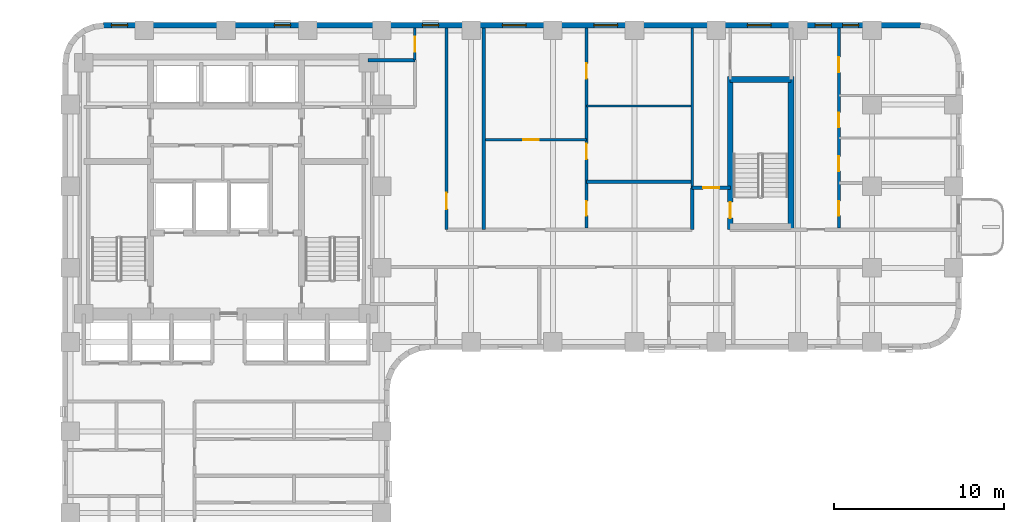
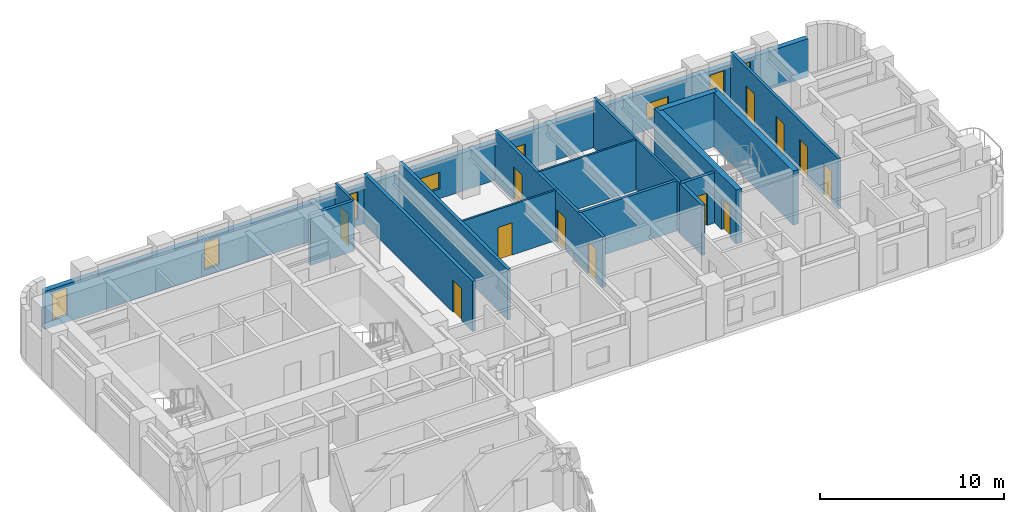
# One storey, part 7 of 12: 16 walls, 12 doors, 8 windows, 20 openings.
"""IFC4 building model written with IfcOpenShell, lengths in metres."""

from ifc_helpers import new_model, si_unit, direction, frame, frame_2d, origin, place, context, subcontext, project, spatial, rectangle, extrude, material, layer, layer_set, type_object, element, fill, save


model = new_model("IFC4")

# Units and contexts
model_context = context("Model", 3, precision=1e-05, world=origin(), true_north=direction((0.0, 1.0)))
body_context = subcontext(model_context, "Body", "Model", "MODEL_VIEW")
ifc_project = project(units=[si_unit("LENGTHUNIT", "METRE"), si_unit("AREAUNIT", "SQUARE_METRE"), si_unit("VOLUMEUNIT", "CUBIC_METRE"), si_unit("PLANEANGLEUNIT", "RADIAN"), si_unit("MASSUNIT", "GRAM", prefix="KILO")], contexts=[model_context])

# Site, building, storey
site_placement = place(None, origin())
site = spatial("IfcSite", under=ifc_project, at=site_placement, CompositionType="ELEMENT")
building_placement = place(site_placement, origin())
building = spatial("IfcBuilding", under=site, at=building_placement, Name="Orvandelia Arch Residences", CompositionType="ELEMENT")
storey_placement = place(building_placement, frame((0.0, 0.0, 39.39990234375)))
storey = spatial("IfcBuildingStorey", under=building, at=storey_placement, Name="L09", CompositionType="ELEMENT", Elevation=39.39990234375)

# Wall, opening, door
ifc_material_1 = material(Name="Concrete C50/60", Category="concrete")
ifc_layer_1 = layer(ifc_material_1, 0.35009765625, Name="Concrete C50/60", Category="concrete")
ifc_layer_set_1 = layer_set([ifc_layer_1], Name="Concrete C50/60")
wall_type_1 = type_object("IfcWallType", Name="WL-CORE-350", PredefinedType="SHEAR", material=ifc_layer_set_1)
wall_1_placement = place(storey_placement, frame((44.02001953125, 35.864990234375, 0.0), z_axis=(0.0, 0.0, 1.0), x_axis=(0.0, 1.0, 0.0)))
wall_1 = element("IfcWall", 1, at=wall_1_placement, inside=storey, type_object=wall_type_1, Name="East Stair Core Shear Wall L09-W", PredefinedType="SHEAR", context=body_context, shape_type="SweptSolid", body=[
    extrude(rectangle(XDim=8.969970703125, YDim=0.35009765625, at=frame_2d((4.48486328125, 0.0))), origin(), (0.0, 0.0, 1.0), 3.60009765625),
])
opening_1_placement = place(wall_1_placement, frame((0.64990234375, 0.0, 0.0)))
opening_1 = element("IfcOpeningElement", 2, at=opening_1_placement, cuts=wall_1, Name="Opening D7", PredefinedType="OPENING", context=body_context, shape_type="SweptSolid", body=[
    extrude(rectangle(XDim=0.949951171875, YDim=2.10009765625, at=frame_2d((0.47509765625, 1.050048828125))), frame((0.0, 0.18505859375, 0.0), z_axis=(0.0, -1.0, 0.0), x_axis=(1.0, 0.0, 0.0)), (0.0, 0.0, 1.0), 0.3701171875),
])
ifc_material_2 = material(Name="Pressurised Stairwell Fire Door")
door_type_1 = type_object("IfcDoorType", Name="DR-STAIR-950", OperationType="NOTDEFINED", PredefinedType="DOOR", material=ifc_material_2)
door_1_placement = place(opening_1_placement, origin())
door_1 = element("IfcDoor", 3, at=door_1_placement, inside=storey, type_object=door_type_1, Name="East Stairwell ST-3 Fire Door L09", OperationType="SINGLE_SWING_LEFT", OverallHeight=2.10009765625, OverallWidth=0.949951171875, PredefinedType="DOOR", context=body_context, shape_type="SweptSolid", body=[
    extrude(rectangle(XDim=0.949951171875, YDim=2.10009765625, at=frame_2d((0.47509765625, 1.050048828125))), frame((0.0, 0.02490234375, 0.0), z_axis=(0.0, -1.0, 0.0), x_axis=(1.0, 0.0, 0.0)), (0.0, 0.0, 1.0), 0.050048828125),
])
fill(opening_1, door_1)

# Walls
wall_2_placement = place(storey_placement, frame((47.60009765625, 35.864990234375, 0.0), z_axis=(0.0, 0.0, 1.0), x_axis=(0.0, 1.0, 0.0)))
element("IfcWall", 4, at=wall_2_placement, inside=storey, type_object=wall_type_1, Name="East Stair Core Shear Wall L09-E", PredefinedType="SHEAR", context=body_context, shape_type="SweptSolid", body=[
    extrude(rectangle(XDim=8.969970703125, YDim=0.35009765625, at=frame_2d((4.48486328125, 0.0))), origin(), (0.0, 0.0, 1.0), 3.60009765625),
])
wall_3_placement = place(storey_placement, frame((44.02001953125, 44.659912109375, 0.0), z_axis=(0.0, 0.0, 1.0), x_axis=(1.0, 0.0, 0.0)))
element("IfcWall", 5, at=wall_3_placement, inside=storey, type_object=wall_type_1, Name="East Stair Core Shear Wall L09-N", PredefinedType="SHEAR", context=body_context, shape_type="SweptSolid", body=[
    extrude(rectangle(XDim=3.580078125, YDim=0.35009765625, at=frame_2d((1.7900390625, 0.0))), origin(), (0.0, 0.0, 1.0), 3.60009765625),
])
ifc_material_3 = material(Name="Fire-Rated Corridor Partition")
ifc_layer_2 = layer(ifc_material_3, 0.199951171875, Name="Fire-Rated Corridor Partition")
ifc_layer_set_2 = layer_set([ifc_layer_2], Name="Fire-Rated Corridor Partition")
wall_type_2 = type_object("IfcWallType", Name="WL-CORR-200", PredefinedType="PARTITIONING", material=ifc_layer_set_2)
wall_4_placement = place(storey_placement, frame((22.75, 45.800048828125, 0.0), z_axis=(0.0, 0.0, 1.0), x_axis=(1.0, 0.0, 0.0)))
element("IfcWall", 6, at=wall_4_placement, inside=storey, type_object=wall_type_2, Name="Interior Partition Wall WL-L09-NCE-S", PredefinedType="PARTITIONING", context=body_context, shape_type="SweptSolid", body=[
    extrude(rectangle(XDim=2.75, YDim=0.199951171875, at=frame_2d((1.375, 0.0))), origin(), (0.0, 0.0, 1.0), 3.35009765625),
])

# Wall, opening, door
wall_5_placement = place(storey_placement, frame((27.35009765625, 35.85009765625, 0.0), z_axis=(0.0, 0.0, 1.0), x_axis=(0.0, 1.0, 0.0)))
wall_5 = element("IfcWall", 7, at=wall_5_placement, inside=storey, type_object=wall_type_2, Name="Interior Partition Wall WL-L09-ES-NCE", PredefinedType="PARTITIONING", context=body_context, shape_type="SweptSolid", body=[
    extrude(rectangle(XDim=11.829833984375, YDim=0.199951171875, at=frame_2d((5.9150390625, 0.0))), origin(), (0.0, 0.0, 1.0), 3.35009765625),
])
opening_2_placement = place(wall_5_placement, frame((1.199951171875, 0.0, 0.0)))
opening_2 = element("IfcOpeningElement", 8, at=opening_2_placement, cuts=wall_5, Name="Opening D2", PredefinedType="OPENING", context=body_context, shape_type="SweptSolid", body=[
    extrude(rectangle(XDim=0.949951171875, YDim=2.14990234375, at=frame_2d((0.47509765625, 1.074951171875))), frame((0.0, 0.10986328125, 0.0), z_axis=(0.0, -1.0, 0.0), x_axis=(1.0, 0.0, 0.0)), (0.0, 0.0, 1.0), 0.219970703125),
])
ifc_material_4 = material(Name="Solid-Core Timber Interior Fire Door", Category="wood")
door_type_2 = type_object("IfcDoorType", Name="DR-APT-950", OperationType="NOTDEFINED", PredefinedType="DOOR", material=ifc_material_4)
door_2_placement = place(opening_2_placement, origin())
door_2 = element("IfcDoor", 9, at=door_2_placement, inside=storey, type_object=door_type_2, Name="DR-L09-ESLDY", OperationType="SINGLE_SWING_RIGHT", OverallHeight=2.14990234375, OverallWidth=0.949951171875, PredefinedType="DOOR", context=body_context, shape_type="SweptSolid", body=[
    extrude(rectangle(XDim=0.949951171875, YDim=2.14990234375, at=frame_2d((0.47509765625, 1.074951171875))), frame((0.0, 0.02490234375, 0.0), z_axis=(0.0, -1.0, 0.0), x_axis=(1.0, 0.0, 0.0)), (0.0, 0.0, 1.0), 0.050048828125),
])
fill(opening_2, door_2)

# Wall
wall_6_placement = place(storey_placement, frame((41.780029296875, 35.85009765625, 0.0), z_axis=(0.0, 0.0, 1.0), x_axis=(0.0, 1.0, 0.0)))
element("IfcWall", 10, at=wall_6_placement, inside=storey, type_object=wall_type_2, Name="Interior Partition Wall WL-L09-ES-SW", PredefinedType="PARTITIONING", context=body_context, shape_type="SweptSolid", body=[
    extrude(rectangle(XDim=2.449951171875, YDim=0.199951171875, at=frame_2d((1.22509765625, 0.0))), origin(), (0.0, 0.0, 1.0), 3.35009765625),
])

# Wall, opening, door
wall_7_placement = place(storey_placement, frame((41.780029296875, 38.300048828125, 0.0), z_axis=(0.0, 0.0, 1.0), x_axis=(1.0, 0.0, 0.0)))
wall_7 = element("IfcWall", 11, at=wall_7_placement, inside=storey, type_object=wall_type_2, Name="Interior Partition Wall WL-L09-ES-SN", PredefinedType="PARTITIONING", context=body_context, shape_type="SweptSolid", body=[
    extrude(rectangle(XDim=2.239990234375, YDim=0.199951171875, at=frame_2d((1.1201171875, 0.0))), origin(), (0.0, 0.0, 1.0), 3.35009765625),
])
opening_3_placement = place(wall_7_placement, frame((0.64990234375, 0.0, 0.0)))
opening_3 = element("IfcOpeningElement", 12, at=opening_3_placement, cuts=wall_7, Name="Opening D2", PredefinedType="OPENING", context=body_context, shape_type="SweptSolid", body=[
    extrude(rectangle(XDim=0.949951171875, YDim=2.14990234375, at=frame_2d((0.47509765625, 1.074951171875))), frame((0.0, 0.10986328125, 0.0), z_axis=(0.0, -1.0, 0.0), x_axis=(1.0, 0.0, 0.0)), (0.0, 0.0, 1.0), 0.219970703125),
])
door_3_placement = place(opening_3_placement, origin())
door_3 = element("IfcDoor", 13, at=door_3_placement, inside=storey, type_object=door_type_2, Name="DR-L09-ESSPK", OperationType="SINGLE_SWING_LEFT", OverallHeight=2.14990234375, OverallWidth=0.949951171875, PredefinedType="DOOR", context=body_context, shape_type="SweptSolid", body=[
    extrude(rectangle(XDim=0.949951171875, YDim=2.14990234375, at=frame_2d((0.47509765625, 1.074951171875))), frame((0.0, 0.02490234375, 0.0), z_axis=(0.0, -1.0, 0.0), x_axis=(1.0, 0.0, 0.0)), (0.0, 0.0, 1.0), 0.050048828125),
])
fill(opening_3, door_3)

# Wall
ifc_material_5 = material(Name="Concrete C40/50", Category="concrete")
ifc_layer_3 = layer(ifc_material_5, 0.199951171875, Name="Concrete C40/50", Category="concrete")
ifc_layer_set_3 = layer_set([ifc_layer_3], Name="Concrete C40/50")
wall_type_3 = type_object("IfcWallType", Name="WL-DEM-200", PredefinedType="SOLIDWALL", material=ifc_layer_set_3)
wall_8_placement = place(storey_placement, frame((29.550048828125, 35.85009765625, 0.0), z_axis=(0.0, 0.0, 1.0), x_axis=(0.0, 1.0, 0.0)))
element("IfcWall", 14, at=wall_8_placement, inside=storey, type_object=wall_type_3, Name="Interior Partition Wall WL-L09-ES-LDE", PredefinedType="SOLIDWALL", context=body_context, shape_type="SweptSolid", body=[
    extrude(rectangle(XDim=11.829833984375, YDim=0.199951171875, at=frame_2d((5.9150390625, 0.0))), origin(), (0.0, 0.0, 1.0), 3.35009765625),
])

# Wall, openings, windows
ifc_material_6 = material(Name="Precast concrete C40/50", Category="concrete")
ifc_layer_4 = layer(ifc_material_6, 0.320068359375, Name="Precast concrete C40/50", Category="concrete")
ifc_layer_set_4 = layer_set([ifc_layer_4], Name="Precast concrete C40/50")
wall_type_4 = type_object("IfcWallType", Name="WL-EXT-STONE-320", PredefinedType="STANDARD", material=ifc_layer_set_4)
wall_9_placement = place(storey_placement, frame((7.199951171875, 47.840087890625, 0.0), z_axis=(0.0, 0.0, 1.0), x_axis=(1.0, 0.0, 0.0)))
wall_9 = element("IfcWall", 15, at=wall_9_placement, inside=storey, type_object=wall_type_4, Name="Coral-Limestone Precast Facade Wall L09-007", PredefinedType="STANDARD", context=body_context, shape_type="SweptSolid", body=[
    extrude(rectangle(XDim=48.0, YDim=0.320068359375, at=frame_2d((24.0, 0.0))), origin(), (0.0, 0.0, 1.0), 2.530029296875),
])
opening_4_placement = place(wall_9_placement, frame((28.803466796875, 0.0, 0.64990234375)))
opening_4 = element("IfcOpeningElement", 16, at=opening_4_placement, cuts=wall_9, Name="Opening W10", PredefinedType="OPENING", context=body_context, shape_type="SweptSolid", body=[
    extrude(rectangle(XDim=1.39990234375, YDim=1.10009765625, at=frame_2d((0.699951171875, 0.550048828125))), frame((0.0, 0.169921875, 0.0), z_axis=(0.0, -1.0, 0.0), x_axis=(1.0, 0.0, 0.0)), (0.0, 0.0, 1.0), 0.340087890625),
])
opening_5_placement = place(wall_9_placement, frame((43.41357421875, 0.0, 0.449951171875)))
opening_5 = element("IfcOpeningElement", 17, at=opening_5_placement, cuts=wall_9, Name="Opening W4", PredefinedType="OPENING", context=body_context, shape_type="SweptSolid", body=[
    extrude(rectangle(XDim=0.949951171875, YDim=1.800048828125, at=frame_2d((0.47509765625, 0.89990234375))), frame((0.0, 0.169921875, 0.0), z_axis=(0.0, -1.0, 0.0), x_axis=(1.0, 0.0, 0.0)), (0.0, 0.0, 1.0), 0.340087890625),
])
opening_6_placement = place(wall_9_placement, frame((18.739990234375, 0.0, 0.449951171875)))
opening_6 = element("IfcOpeningElement", 18, at=opening_6_placement, cuts=wall_9, Name="Opening W4", PredefinedType="OPENING", context=body_context, shape_type="SweptSolid", body=[
    extrude(rectangle(XDim=0.949951171875, YDim=1.800048828125, at=frame_2d((0.47509765625, 0.89990234375))), frame((0.0, 0.169921875, 0.0), z_axis=(0.0, -1.0, 0.0), x_axis=(1.0, 0.0, 0.0)), (0.0, 0.0, 1.0), 0.340087890625),
])
opening_7_placement = place(wall_9_placement, frame((37.824951171875, 0.0, 0.64990234375)))
opening_7 = element("IfcOpeningElement", 19, at=opening_7_placement, cuts=wall_9, Name="Opening W10", PredefinedType="OPENING", context=body_context, shape_type="SweptSolid", body=[
    extrude(rectangle(XDim=1.39990234375, YDim=1.10009765625, at=frame_2d((0.699951171875, 0.550048828125))), frame((0.0, 0.169921875, 0.0), z_axis=(0.0, -1.0, 0.0), x_axis=(1.0, 0.0, 0.0)), (0.0, 0.0, 1.0), 0.340087890625),
])
opening_8_placement = place(wall_9_placement, frame((0.469970703125, 0.0, 0.449951171875)))
opening_8 = element("IfcOpeningElement", 20, at=opening_8_placement, cuts=wall_9, Name="Opening W4", PredefinedType="OPENING", context=body_context, shape_type="SweptSolid", body=[
    extrude(rectangle(XDim=0.949951171875, YDim=1.800048828125, at=frame_2d((0.47509765625, 0.89990234375))), frame((0.0, 0.169921875, 0.0), z_axis=(0.0, -1.0, 0.0), x_axis=(1.0, 0.0, 0.0)), (0.0, 0.0, 1.0), 0.340087890625),
])
opening_9_placement = place(wall_9_placement, frame((10.0400390625, 0.0, 0.449951171875)))
opening_9 = element("IfcOpeningElement", 21, at=opening_9_placement, cuts=wall_9, Name="Opening W4", PredefinedType="OPENING", context=body_context, shape_type="SweptSolid", body=[
    extrude(rectangle(XDim=0.949951171875, YDim=1.800048828125, at=frame_2d((0.47509765625, 0.89990234375))), frame((0.0, 0.169921875, 0.0), z_axis=(0.0, -1.0, 0.0), x_axis=(1.0, 0.0, 0.0)), (0.0, 0.0, 1.0), 0.340087890625),
])
opening_10_placement = place(wall_9_placement, frame((23.429931640625, 0.0, 0.64990234375)))
opening_10 = element("IfcOpeningElement", 22, at=opening_10_placement, cuts=wall_9, Name="Opening W10", PredefinedType="OPENING", context=body_context, shape_type="SweptSolid", body=[
    extrude(rectangle(XDim=1.39990234375, YDim=1.10009765625, at=frame_2d((0.699951171875, 0.550048828125))), frame((0.0, 0.169921875, 0.0), z_axis=(0.0, -1.0, 0.0), x_axis=(1.0, 0.0, 0.0)), (0.0, 0.0, 1.0), 0.340087890625),
])
opening_11_placement = place(wall_9_placement, frame((41.80859375, 0.0, 0.449951171875)))
opening_11 = element("IfcOpeningElement", 23, at=opening_11_placement, cuts=wall_9, Name="Opening W4", PredefinedType="OPENING", context=body_context, shape_type="SweptSolid", body=[
    extrude(rectangle(XDim=0.949951171875, YDim=1.800048828125, at=frame_2d((0.47509765625, 0.89990234375))), frame((0.0, 0.169921875, 0.0), z_axis=(0.0, -1.0, 0.0), x_axis=(1.0, 0.0, 0.0)), (0.0, 0.0, 1.0), 0.340087890625),
])
ifc_material_7 = material(Name="Tempered Low-E Insulated Glazing", Category="glass")
window_type_1 = type_object("IfcWindowType", Name="WIN-CLR-1400x1100", PartitioningType="SINGLE_PANEL", PredefinedType="WINDOW", material=ifc_material_7)
window_1_placement = place(opening_4_placement, origin())
window_1 = element("IfcWindow", 24, at=window_1_placement, inside=storey, type_object=window_type_1, Name="Recessed Punched Window L09-001", OverallHeight=1.10009765625, OverallWidth=1.39990234375, PartitioningType="SINGLE_PANEL", PredefinedType="WINDOW", context=body_context, shape_type="SweptSolid", body=[
    extrude(rectangle(XDim=1.39990234375, YDim=1.10009765625, at=frame_2d((0.699951171875, 0.550048828125))), frame((0.0, 0.030029296875, 0.0), z_axis=(0.0, -1.0, 0.0), x_axis=(1.0, 0.0, 0.0)), (0.0, 0.0, 1.0), 0.06005859375),
])
fill(opening_4, window_1)
window_2_placement = place(opening_7_placement, origin())
window_2 = element("IfcWindow", 25, at=window_2_placement, inside=storey, type_object=window_type_1, Name="Recessed Punched Window L09-004", OverallHeight=1.10009765625, OverallWidth=1.39990234375, PartitioningType="SINGLE_PANEL", PredefinedType="WINDOW", context=body_context, shape_type="SweptSolid", body=[
    extrude(rectangle(XDim=1.39990234375, YDim=1.10009765625, at=frame_2d((0.699951171875, 0.550048828125))), frame((0.0, 0.030029296875, 0.0), z_axis=(0.0, -1.0, 0.0), x_axis=(1.0, 0.0, 0.0)), (0.0, 0.0, 1.0), 0.06005859375),
])
fill(opening_7, window_2)
window_3_placement = place(opening_10_placement, origin())
window_3 = element("IfcWindow", 26, at=window_3_placement, inside=storey, type_object=window_type_1, Name="Recessed Punched Window L09-007", OverallHeight=1.10009765625, OverallWidth=1.39990234375, PartitioningType="SINGLE_PANEL", PredefinedType="WINDOW", context=body_context, shape_type="SweptSolid", body=[
    extrude(rectangle(XDim=1.39990234375, YDim=1.10009765625, at=frame_2d((0.699951171875, 0.550048828125))), frame((0.0, 0.030029296875, 0.0), z_axis=(0.0, -1.0, 0.0), x_axis=(1.0, 0.0, 0.0)), (0.0, 0.0, 1.0), 0.06005859375),
])
fill(opening_10, window_3)
window_type_2 = type_object("IfcWindowType", Name="WIN-RES-0950x1800", PartitioningType="SINGLE_PANEL", PredefinedType="WINDOW", material=ifc_material_7)
window_4_placement = place(opening_5_placement, origin())
window_4 = element("IfcWindow", 27, at=window_4_placement, inside=storey, type_object=window_type_2, Name="Recessed Punched Window L09-002", OverallHeight=1.800048828125, OverallWidth=0.949951171875, PartitioningType="SINGLE_PANEL", PredefinedType="WINDOW", context=body_context, shape_type="SweptSolid", body=[
    extrude(rectangle(XDim=0.949951171875, YDim=1.800048828125, at=frame_2d((0.47509765625, 0.89990234375))), frame((0.0, 0.030029296875, 0.0), z_axis=(0.0, -1.0, 0.0), x_axis=(1.0, 0.0, 0.0)), (0.0, 0.0, 1.0), 0.06005859375),
])
fill(opening_5, window_4)
window_5_placement = place(opening_6_placement, origin())
window_5 = element("IfcWindow", 28, at=window_5_placement, inside=storey, type_object=window_type_2, Name="Recessed Punched Window L09-003", OverallHeight=1.800048828125, OverallWidth=0.949951171875, PartitioningType="SINGLE_PANEL", PredefinedType="WINDOW", context=body_context, shape_type="SweptSolid", body=[
    extrude(rectangle(XDim=0.949951171875, YDim=1.800048828125, at=frame_2d((0.47509765625, 0.89990234375))), frame((0.0, 0.030029296875, 0.0), z_axis=(0.0, -1.0, 0.0), x_axis=(1.0, 0.0, 0.0)), (0.0, 0.0, 1.0), 0.06005859375),
])
fill(opening_6, window_5)
window_6_placement = place(opening_8_placement, origin())
window_6 = element("IfcWindow", 29, at=window_6_placement, inside=storey, type_object=window_type_2, Name="Recessed Punched Window L09-005", OverallHeight=1.800048828125, OverallWidth=0.949951171875, PartitioningType="SINGLE_PANEL", PredefinedType="WINDOW", context=body_context, shape_type="SweptSolid", body=[
    extrude(rectangle(XDim=0.949951171875, YDim=1.800048828125, at=frame_2d((0.47509765625, 0.89990234375))), frame((0.0, 0.030029296875, 0.0), z_axis=(0.0, -1.0, 0.0), x_axis=(1.0, 0.0, 0.0)), (0.0, 0.0, 1.0), 0.06005859375),
])
fill(opening_8, window_6)
window_7_placement = place(opening_9_placement, origin())
window_7 = element("IfcWindow", 30, at=window_7_placement, inside=storey, type_object=window_type_2, Name="Recessed Punched Window L09-006", OverallHeight=1.800048828125, OverallWidth=0.949951171875, PartitioningType="SINGLE_PANEL", PredefinedType="WINDOW", context=body_context, shape_type="SweptSolid", body=[
    extrude(rectangle(XDim=0.949951171875, YDim=1.800048828125, at=frame_2d((0.47509765625, 0.89990234375))), frame((0.0, 0.030029296875, 0.0), z_axis=(0.0, -1.0, 0.0), x_axis=(1.0, 0.0, 0.0)), (0.0, 0.0, 1.0), 0.06005859375),
])
fill(opening_9, window_7)
window_8_placement = place(opening_11_placement, origin())
window_8 = element("IfcWindow", 31, at=window_8_placement, inside=storey, type_object=window_type_2, Name="Recessed Punched Window L09-008", OverallHeight=1.800048828125, OverallWidth=0.949951171875, PartitioningType="SINGLE_PANEL", PredefinedType="WINDOW", context=body_context, shape_type="SweptSolid", body=[
    extrude(rectangle(XDim=0.949951171875, YDim=1.800048828125, at=frame_2d((0.47509765625, 0.89990234375))), frame((0.0, 0.030029296875, 0.0), z_axis=(0.0, -1.0, 0.0), x_axis=(1.0, 0.0, 0.0)), (0.0, 0.0, 1.0), 0.06005859375),
])
fill(opening_11, window_8)

# Wall, opening, door
ifc_material_8 = material(Name="Lightweight Gypsum Stud Partition")
ifc_layer_5 = layer(ifc_material_8, 0.1201171875, Name="Lightweight Gypsum Stud Partition")
ifc_layer_set_5 = layer_set([ifc_layer_5], Name="Lightweight Gypsum Stud Partition")
wall_type_5 = type_object("IfcWallType", Name="WL-PART-120", PredefinedType="PARTITIONING", material=ifc_layer_set_5)
wall_10_placement = place(storey_placement, frame((29.6298828125, 41.1259765625, 0.0), z_axis=(0.0, 0.0, 1.0), x_axis=(1.0, 0.0, 0.0)))
wall_10 = element("IfcWall", 32, at=wall_10_placement, inside=storey, type_object=wall_type_5, Name="Interior Partition Wall WL-L09-U11-DIN", PredefinedType="PARTITIONING", context=body_context, shape_type="SweptSolid", body=[
    extrude(rectangle(XDim=5.947021484375, YDim=0.1201171875, at=frame_2d((2.9736328125, 0.0))), origin(), (0.0, 0.0, 1.0), 3.35009765625),
])
opening_12_placement = place(wall_10_placement, frame((2.235107421875, 0.0, 0.0)))
opening_12 = element("IfcOpeningElement", 33, at=opening_12_placement, cuts=wall_10, Name="Opening D3", PredefinedType="OPENING", context=body_context, shape_type="SweptSolid", body=[
    extrude(rectangle(XDim=0.89990234375, YDim=2.14990234375, at=frame_2d((0.449951171875, 1.074951171875))), frame((0.0, 0.070068359375, 0.0), z_axis=(0.0, -1.0, 0.0), x_axis=(1.0, 0.0, 0.0)), (0.0, 0.0, 1.0), 0.14013671875),
])
ifc_material_9 = material(Name="Engineered Timber Flush Door", Category="wood")
door_type_3 = type_object("IfcDoorType", Name="DR-INT-900", OperationType="NOTDEFINED", PredefinedType="DOOR", material=ifc_material_9)
door_4_placement = place(opening_12_placement, origin())
door_4 = element("IfcDoor", 34, at=door_4_placement, inside=storey, type_object=door_type_3, Name="DR-L09-U11-DIN", OperationType="SINGLE_SWING_RIGHT", OverallHeight=2.14990234375, OverallWidth=0.89990234375, PredefinedType="DOOR", context=body_context, shape_type="SweptSolid", body=[
    extrude(rectangle(XDim=0.89990234375, YDim=2.14990234375, at=frame_2d((0.449951171875, 1.074951171875))), frame((0.0, 0.02490234375, 0.0), z_axis=(0.0, -1.0, 0.0), x_axis=(1.0, 0.0, 0.0)), (0.0, 0.0, 1.0), 0.050048828125),
])
fill(opening_12, door_4)

# Wall
wall_11_placement = place(storey_placement, frame((35.576904296875, 43.10693359375, 0.0), z_axis=(0.0, 0.0, 1.0), x_axis=(1.0, 0.0, 0.0)))
element("IfcWall", 35, at=wall_11_placement, inside=storey, type_object=wall_type_5, Name="Interior Partition Wall WL-L09-U11-H2", PredefinedType="PARTITIONING", context=body_context, shape_type="SweptSolid", body=[
    extrude(rectangle(XDim=6.123046875, YDim=0.1201171875, at=frame_2d((3.0615234375, 0.0))), origin(), (0.0, 0.0, 1.0), 3.35009765625),
])

# Wall, opening, door
ifc_material_10 = material(Name="Acoustic Gypsum Stud Partition")
ifc_layer_6 = layer(ifc_material_10, 0.14990234375, Name="Acoustic Gypsum Stud Partition")
ifc_layer_set_6 = layer_set([ifc_layer_6], Name="Acoustic Gypsum Stud Partition")
wall_type_6 = type_object("IfcWallType", Name="WL-PART-150", PredefinedType="PARTITIONING", material=ifc_layer_set_6)
wall_12_placement = place(storey_placement, frame((25.5, 45.800048828125, 0.0), z_axis=(0.0, 0.0, 1.0), x_axis=(0.0, 1.0, 0.0)))
wall_12 = element("IfcWall", 36, at=wall_12_placement, inside=storey, type_object=wall_type_6, Name="Interior Partition Wall WL-L09-NCE-W", PredefinedType="PARTITIONING", context=body_context, shape_type="SweptSolid", body=[
    extrude(rectangle(XDim=1.8798828125, YDim=0.14990234375, at=frame_2d((0.93994140625, 0.0))), origin(), (0.0, 0.0, 1.0), 3.35009765625),
])
opening_13_placement = place(wall_12_placement, frame((0.5, 0.0, 0.0)))
opening_13 = element("IfcOpeningElement", 37, at=opening_13_placement, cuts=wall_12, Name="Opening D5", PredefinedType="OPENING", context=body_context, shape_type="SweptSolid", body=[
    extrude(rectangle(XDim=0.8798828125, YDim=2.10009765625, at=frame_2d((0.43994140625, 1.050048828125))), frame((0.0, 0.0849609375, 0.0), z_axis=(0.0, -1.0, 0.0), x_axis=(1.0, 0.0, 0.0)), (0.0, 0.0, 1.0), 0.169921875),
])
ifc_material_11 = material(Name="Painted Galvanised Steel Service Door", Category="steel")
door_type_4 = type_object("IfcDoorType", Name="DR-SRV-880", OperationType="NOTDEFINED", PredefinedType="DOOR", material=ifc_material_11)
door_5_placement = place(opening_13_placement, origin())
door_5 = element("IfcDoor", 38, at=door_5_placement, inside=storey, type_object=door_type_4, Name="DR-L09-NCS2", OperationType="SINGLE_SWING_LEFT", OverallHeight=2.10009765625, OverallWidth=0.8798828125, PredefinedType="DOOR", context=body_context, shape_type="SweptSolid", body=[
    extrude(rectangle(XDim=0.8798828125, YDim=2.10009765625, at=frame_2d((0.43994140625, 1.050048828125))), frame((0.0, 0.02490234375, 0.0), z_axis=(0.0, -1.0, 0.0), x_axis=(1.0, 0.0, 0.0)), (0.0, 0.0, 1.0), 0.050048828125),
])
fill(opening_13, door_5)

# Wall
wall_13_placement = place(storey_placement, frame((41.780029296875, 38.300048828125, 0.0), z_axis=(0.0, 0.0, 1.0), x_axis=(0.0, 1.0, 0.0)))
element("IfcWall", 39, at=wall_13_placement, inside=storey, type_object=wall_type_6, Name="Interior Partition Wall WL-L09-ES-SPKW", PredefinedType="PARTITIONING", context=body_context, shape_type="SweptSolid", body=[
    extrude(rectangle(XDim=9.3798828125, YDim=0.14990234375, at=frame_2d((4.68994140625, 0.0))), origin(), (0.0, 0.0, 1.0), 3.35009765625),
])

# Wall, openings, doors
ifc_material_12 = material(Name="Moisture-Resistant Plumbing Wall")
ifc_layer_7 = layer(ifc_material_12, 0.179931640625, Name="Moisture-Resistant Plumbing Wall")
ifc_layer_set_7 = layer_set([ifc_layer_7], Name="Moisture-Resistant Plumbing Wall")
wall_type_7 = type_object("IfcWallType", Name="WL-WET-180", PredefinedType="PLUMBINGWALL", material=ifc_layer_set_7)
wall_14_placement = place(storey_placement, frame((35.576904296875, 35.929931640625, 0.0), z_axis=(0.0, 0.0, 1.0), x_axis=(0.0, 1.0, 0.0)))
wall_14 = element("IfcWall", 40, at=wall_14_placement, inside=storey, type_object=wall_type_7, Name="Interior Partition Wall WL-L09-U11-VT", PredefinedType="PLUMBINGWALL", context=body_context, shape_type="SweptSolid", body=[
    extrude(rectangle(XDim=11.75, YDim=0.179931640625, at=frame_2d((5.875, 0.0))), origin(), (0.0, 0.0, 1.0), 3.35009765625),
])
opening_14_placement = place(wall_14_placement, frame((0.7333984375, 0.0, 0.0)))
opening_14 = element("IfcOpeningElement", 41, at=opening_14_placement, cuts=wall_14, Name="Opening D4", PredefinedType="OPENING", context=body_context, shape_type="SweptSolid", body=[
    extrude(rectangle(XDim=0.860107421875, YDim=2.10009765625, at=frame_2d((0.43017578125, 1.050048828125))), frame((0.0, 0.10009765625, 0.0), z_axis=(0.0, -1.0, 0.0), x_axis=(1.0, 0.0, 0.0)), (0.0, 0.0, 1.0), 0.199951171875),
])
opening_15_placement = place(wall_14_placement, frame((4.063720703125, 0.0, 0.0)))
opening_15 = element("IfcOpeningElement", 42, at=opening_15_placement, cuts=wall_14, Name="Opening D3", PredefinedType="OPENING", context=body_context, shape_type="SweptSolid", body=[
    extrude(rectangle(XDim=0.89990234375, YDim=2.14990234375, at=frame_2d((0.449951171875, 1.074951171875))), frame((0.0, 0.10009765625, 0.0), z_axis=(0.0, -1.0, 0.0), x_axis=(1.0, 0.0, 0.0)), (0.0, 0.0, 1.0), 0.199951171875),
])
opening_16_placement = place(wall_14_placement, frame((8.789306640625, 0.0, 0.0)))
opening_16 = element("IfcOpeningElement", 43, at=opening_16_placement, cuts=wall_14, Name="Opening D3", PredefinedType="OPENING", context=body_context, shape_type="SweptSolid", body=[
    extrude(rectangle(XDim=0.89990234375, YDim=2.14990234375, at=frame_2d((0.449951171875, 1.074951171875))), frame((0.0, 0.10009765625, 0.0), z_axis=(0.0, -1.0, 0.0), x_axis=(1.0, 0.0, 0.0)), (0.0, 0.0, 1.0), 0.199951171875),
])
door_6_placement = place(opening_15_placement, origin())
door_6 = element("IfcDoor", 44, at=door_6_placement, inside=storey, type_object=door_type_3, Name="DR-L09-U11-KIT", OperationType="SINGLE_SWING_LEFT", OverallHeight=2.14990234375, OverallWidth=0.89990234375, PredefinedType="DOOR", context=body_context, shape_type="SweptSolid", body=[
    extrude(rectangle(XDim=0.89990234375, YDim=2.14990234375, at=frame_2d((0.449951171875, 1.074951171875))), frame((0.0, 0.02490234375, 0.0), z_axis=(0.0, -1.0, 0.0), x_axis=(1.0, 0.0, 0.0)), (0.0, 0.0, 1.0), 0.050048828125),
])
fill(opening_15, door_6)
door_7_placement = place(opening_16_placement, origin())
door_7 = element("IfcDoor", 45, at=door_7_placement, inside=storey, type_object=door_type_3, Name="DR-L09-U11-BD1", OperationType="SINGLE_SWING_RIGHT", OverallHeight=2.14990234375, OverallWidth=0.89990234375, PredefinedType="DOOR", context=body_context, shape_type="SweptSolid", body=[
    extrude(rectangle(XDim=0.89990234375, YDim=2.14990234375, at=frame_2d((0.449951171875, 1.074951171875))), frame((0.0, 0.02490234375, 0.0), z_axis=(0.0, -1.0, 0.0), x_axis=(1.0, 0.0, 0.0)), (0.0, 0.0, 1.0), 0.050048828125),
])
fill(opening_16, door_7)
ifc_material_13 = material(Name="Moisture-Sealed Timber Bathroom Door", Category="wood")
door_type_5 = type_object("IfcDoorType", Name="DR-WET-900", OperationType="NOTDEFINED", PredefinedType="DOOR", material=ifc_material_13)
door_8_placement = place(opening_14_placement, origin())
door_8 = element("IfcDoor", 46, at=door_8_placement, inside=storey, type_object=door_type_5, Name="DR-L09-U11-BTH", OperationType="SINGLE_SWING_RIGHT", OverallHeight=2.10009765625, OverallWidth=0.860107421875, PredefinedType="DOOR", context=body_context, shape_type="SweptSolid", body=[
    extrude(rectangle(XDim=0.860107421875, YDim=2.10009765625, at=frame_2d((0.43017578125, 1.050048828125))), frame((0.0, 0.02490234375, 0.0), z_axis=(0.0, -1.0, 0.0), x_axis=(1.0, 0.0, 0.0)), (0.0, 0.0, 1.0), 0.050048828125),
])
fill(opening_14, door_8)

# Wall
wall_15_placement = place(storey_placement, frame((35.576904296875, 38.659912109375, 0.0), z_axis=(0.0, 0.0, 1.0), x_axis=(1.0, 0.0, 0.0)))
element("IfcWall", 47, at=wall_15_placement, inside=storey, type_object=wall_type_7, Name="Interior Partition Wall WL-L09-U11-H1", PredefinedType="PLUMBINGWALL", context=body_context, shape_type="SweptSolid", body=[
    extrude(rectangle(XDim=6.123046875, YDim=0.179931640625, at=frame_2d((3.0615234375, 0.0))), origin(), (0.0, 0.0, 1.0), 3.35009765625),
])

# Wall, openings, doors
wall_16_placement = place(storey_placement, frame((50.39697265625, 35.949951171875, 0.0), z_axis=(0.0, 0.0, 1.0), x_axis=(0.0, 1.0, 0.0)))
wall_16 = element("IfcWall", 48, at=wall_16_placement, inside=storey, type_object=wall_type_7, Name="Interior Partition Wall WL-L09-U12-VT", PredefinedType="PLUMBINGWALL", context=body_context, shape_type="SweptSolid", body=[
    extrude(rectangle(XDim=11.72998046875, YDim=0.179931640625, at=frame_2d((5.864990234375, 0.0))), origin(), (0.0, 0.0, 1.0), 3.35009765625),
])
opening_17_placement = place(wall_16_placement, frame((0.7158203125, 0.0, 0.0)))
opening_17 = element("IfcOpeningElement", 49, at=opening_17_placement, cuts=wall_16, Name="Opening D4", PredefinedType="OPENING", context=body_context, shape_type="SweptSolid", body=[
    extrude(rectangle(XDim=0.860107421875, YDim=2.10009765625, at=frame_2d((0.43017578125, 1.050048828125))), frame((0.0, 0.10009765625, 0.0), z_axis=(0.0, -1.0, 0.0), x_axis=(1.0, 0.0, 0.0)), (0.0, 0.0, 1.0), 0.199951171875),
])
opening_18_placement = place(wall_16_placement, frame((3.3349609375, 0.0, 0.0)))
opening_18 = element("IfcOpeningElement", 50, at=opening_18_placement, cuts=wall_16, Name="Opening D4", PredefinedType="OPENING", context=body_context, shape_type="SweptSolid", body=[
    extrude(rectangle(XDim=0.860107421875, YDim=2.10009765625, at=frame_2d((0.43017578125, 1.050048828125))), frame((0.0, 0.10009765625, 0.0), z_axis=(0.0, -1.0, 0.0), x_axis=(1.0, 0.0, 0.0)), (0.0, 0.0, 1.0), 0.199951171875),
])
opening_19_placement = place(wall_16_placement, frame((5.90673828125, 0.0, 0.0)))
opening_19 = element("IfcOpeningElement", 51, at=opening_19_placement, cuts=wall_16, Name="Opening D4", PredefinedType="OPENING", context=body_context, shape_type="SweptSolid", body=[
    extrude(rectangle(XDim=0.860107421875, YDim=2.10009765625, at=frame_2d((0.43017578125, 1.050048828125))), frame((0.0, 0.10009765625, 0.0), z_axis=(0.0, -1.0, 0.0), x_axis=(1.0, 0.0, 0.0)), (0.0, 0.0, 1.0), 0.199951171875),
])
opening_20_placement = place(wall_16_placement, frame((9.12841796875, 0.0, 0.0)))
opening_20 = element("IfcOpeningElement", 52, at=opening_20_placement, cuts=wall_16, Name="Opening D3", PredefinedType="OPENING", context=body_context, shape_type="SweptSolid", body=[
    extrude(rectangle(XDim=0.89990234375, YDim=2.14990234375, at=frame_2d((0.449951171875, 1.074951171875))), frame((0.0, 0.10009765625, 0.0), z_axis=(0.0, -1.0, 0.0), x_axis=(1.0, 0.0, 0.0)), (0.0, 0.0, 1.0), 0.199951171875),
])
door_9_placement = place(opening_20_placement, origin())
door_9 = element("IfcDoor", 53, at=door_9_placement, inside=storey, type_object=door_type_3, Name="DR-L09-U12-BD1", OperationType="SINGLE_SWING_RIGHT", OverallHeight=2.14990234375, OverallWidth=0.89990234375, PredefinedType="DOOR", context=body_context, shape_type="SweptSolid", body=[
    extrude(rectangle(XDim=0.89990234375, YDim=2.14990234375, at=frame_2d((0.449951171875, 1.074951171875))), frame((0.0, 0.02490234375, 0.0), z_axis=(0.0, -1.0, 0.0), x_axis=(1.0, 0.0, 0.0)), (0.0, 0.0, 1.0), 0.050048828125),
])
fill(opening_20, door_9)
door_10_placement = place(opening_17_placement, origin())
door_10 = element("IfcDoor", 54, at=door_10_placement, inside=storey, type_object=door_type_5, Name="DR-L09-U12-BTH", OperationType="SINGLE_SWING_LEFT", OverallHeight=2.10009765625, OverallWidth=0.860107421875, PredefinedType="DOOR", context=body_context, shape_type="SweptSolid", body=[
    extrude(rectangle(XDim=0.860107421875, YDim=2.10009765625, at=frame_2d((0.43017578125, 1.050048828125))), frame((0.0, 0.02490234375, 0.0), z_axis=(0.0, -1.0, 0.0), x_axis=(1.0, 0.0, 0.0)), (0.0, 0.0, 1.0), 0.050048828125),
])
fill(opening_17, door_10)
door_11_placement = place(opening_18_placement, origin())
door_11 = element("IfcDoor", 55, at=door_11_placement, inside=storey, type_object=door_type_5, Name="DR-L09-U12-KIT", OperationType="SINGLE_SWING_RIGHT", OverallHeight=2.10009765625, OverallWidth=0.860107421875, PredefinedType="DOOR", context=body_context, shape_type="SweptSolid", body=[
    extrude(rectangle(XDim=0.860107421875, YDim=2.10009765625, at=frame_2d((0.43017578125, 1.050048828125))), frame((0.0, 0.02490234375, 0.0), z_axis=(0.0, -1.0, 0.0), x_axis=(1.0, 0.0, 0.0)), (0.0, 0.0, 1.0), 0.050048828125),
])
fill(opening_18, door_11)
door_12_placement = place(opening_19_placement, origin())
door_12 = element("IfcDoor", 56, at=door_12_placement, inside=storey, type_object=door_type_5, Name="DR-L09-U12-STDY", OperationType="SINGLE_SWING_LEFT", OverallHeight=2.10009765625, OverallWidth=0.860107421875, PredefinedType="DOOR", context=body_context, shape_type="SweptSolid", body=[
    extrude(rectangle(XDim=0.860107421875, YDim=2.10009765625, at=frame_2d((0.43017578125, 1.050048828125))), frame((0.0, 0.02490234375, 0.0), z_axis=(0.0, -1.0, 0.0), x_axis=(1.0, 0.0, 0.0)), (0.0, 0.0, 1.0), 0.050048828125),
])
fill(opening_19, door_12)

save(model, "model.ifc")
